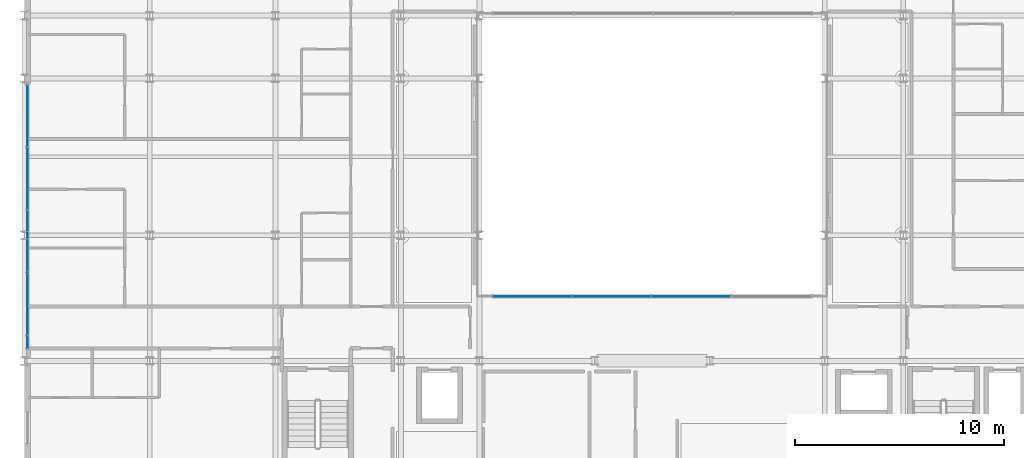
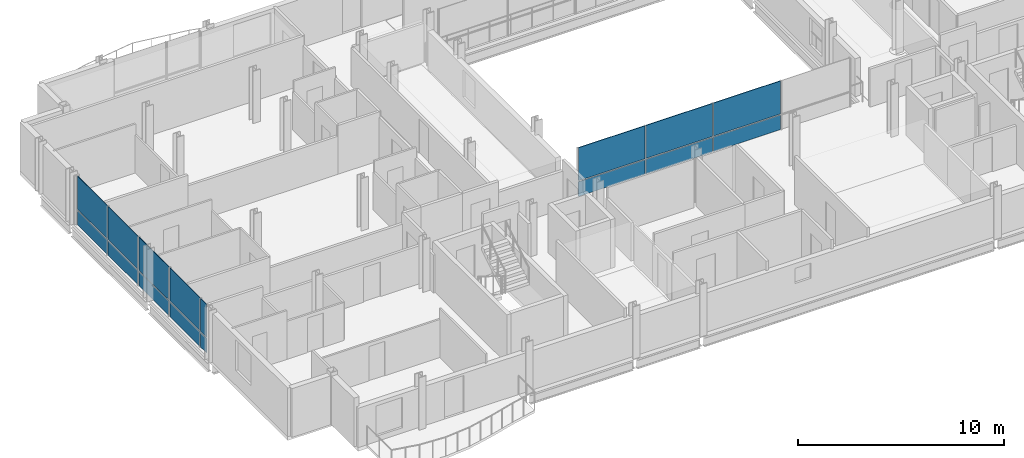
# One storey, part 28 of 41: 16 plates, 2 elements without a shape of their own.
"""IFC4 building model written with IfcOpenShell, lengths in metres."""

from ifc_helpers import new_model, si_unit, direction, frame, origin, origin_2d, place, context, subcontext, project, spatial, rectangle, extrude, material, layer, layer_set, type_object, element, aggregate, save


model = new_model("IFC4")

# Units and contexts
model_context = context("Model", 3, precision=1e-05, world=origin(), true_north=direction((0.0, 1.0)))
body_context = subcontext(model_context, "Body", "Model", "MODEL_VIEW")
ifc_project = project(units=[si_unit("LENGTHUNIT", "METRE"), si_unit("AREAUNIT", "SQUARE_METRE"), si_unit("VOLUMEUNIT", "CUBIC_METRE"), si_unit("PLANEANGLEUNIT", "RADIAN"), si_unit("MASSUNIT", "GRAM", prefix="KILO")], contexts=[model_context])

# Site, building, storey
site_placement = place(None, origin())
site = spatial("IfcSite", under=ifc_project, at=site_placement, CompositionType="ELEMENT")
building_placement = place(site_placement, origin())
building = spatial("IfcBuilding", under=site, at=building_placement, Name="Brevholm Reach", CompositionType="ELEMENT")
storey_placement = place(building_placement, frame((0.0, 0.0, 169.699951171875)))
storey = spatial("IfcBuildingStorey", under=building, at=storey_placement, Name="L51", CompositionType="ELEMENT", Elevation=169.699951171875)

# Curtain wall, plates
ifc_material_1 = material(Name="Dark Anodised Aluminium 6063-T6 and Solar-Control Glass", Category="aluminium")
ifc_layer_1 = layer(ifc_material_1, 0.14990234375)
ifc_layer_set_1 = layer_set([ifc_layer_1], Name="Dark Anodised Aluminium 6063-T6 and Solar-Control Glass")
curtain_wall_type_1 = type_object("IfcCurtainWallType", Name="CW-01", PredefinedType="NOTDEFINED", material=ifc_layer_set_1)
curtain_wall_1_placement = place(storey_placement, origin())
curtain_wall_1 = element("IfcCurtainWall", 1, at=curtain_wall_1_placement, inside=storey, type_object=curtain_wall_type_1, Name="L51 Curtain Wall CW-01", PredefinedType="NOTDEFINED")
ifc_material_2 = material(Name="Dark Solar-Control Double-Glazed IGU Glass", Category="glass")
ifc_layer_2 = layer(ifc_material_2, 0.028076171875)
ifc_layer_set_2 = layer_set([ifc_layer_2], Name="Dark Solar-Control Double-Glazed IGU Glass")
plate_type_1 = type_object("IfcPlateType", Name="CWP-GLZ-28", PredefinedType="CURTAIN_PANEL", material=ifc_layer_set_2)
plate_1_placement = place(storey_placement, frame((0.14990234375, 21.703857421875, 0.0), z_axis=(0.0, 0.0, 1.0), x_axis=(0.0, -1.0, 0.0)))
plate_1 = element("IfcPlate", 2, at=plate_1_placement, type_object=plate_type_1, Name="CP-01 Glazing Panel 1.1", PredefinedType="CURTAIN_PANEL", context=body_context, shape_type="SweptSolid", body=[
    extrude(rectangle(XDim=2.902587890625, YDim=0.028076171875, at=origin_2d()), origin(), (0.0, 0.0, 1.0), 0.867431640625),
])
plate_2_placement = place(storey_placement, frame((0.14990234375, 21.703857421875, 0.9326171875), z_axis=(0.0, 0.0, 1.0), x_axis=(0.0, -1.0, 0.0)))
plate_2 = element("IfcPlate", 3, at=plate_2_placement, type_object=plate_type_1, Name="CP-01 Glazing Panel 1.2", PredefinedType="CURTAIN_PANEL", context=body_context, shape_type="SweptSolid", body=[
    extrude(rectangle(XDim=2.902587890625, YDim=0.028076171875, at=origin_2d()), origin(), (0.0, 0.0, 1.0), 1.95751953125),
])
plate_3_placement = place(storey_placement, frame((0.14990234375, 18.719970703125, 0.0), z_axis=(0.0, 0.0, 1.0), x_axis=(0.0, -1.0, 0.0)))
plate_3 = element("IfcPlate", 4, at=plate_3_placement, type_object=plate_type_1, Name="CP-01 Glazing Panel 2.1", PredefinedType="CURTAIN_PANEL", context=body_context, shape_type="SweptSolid", body=[
    extrude(rectangle(XDim=2.93505859375, YDim=0.028076171875, at=origin_2d()), origin(), (0.0, 0.0, 1.0), 0.867431640625),
])
plate_4_placement = place(storey_placement, frame((0.14990234375, 18.719970703125, 0.9326171875), z_axis=(0.0, 0.0, 1.0), x_axis=(0.0, -1.0, 0.0)))
plate_4 = element("IfcPlate", 5, at=plate_4_placement, type_object=plate_type_1, Name="CP-01 Glazing Panel 2.2", PredefinedType="CURTAIN_PANEL", context=body_context, shape_type="SweptSolid", body=[
    extrude(rectangle(XDim=2.93505859375, YDim=0.028076171875, at=origin_2d()), origin(), (0.0, 0.0, 1.0), 1.95751953125),
])
plate_5_placement = place(storey_placement, frame((0.14990234375, 15.719970703125, 0.0), z_axis=(0.0, 0.0, 1.0), x_axis=(0.0, -1.0, 0.0)))
plate_5 = element("IfcPlate", 6, at=plate_5_placement, type_object=plate_type_1, Name="CP-01 Glazing Panel 3.1", PredefinedType="CURTAIN_PANEL", context=body_context, shape_type="SweptSolid", body=[
    extrude(rectangle(XDim=2.93505859375, YDim=0.028076171875, at=origin_2d()), origin(), (0.0, 0.0, 1.0), 0.867431640625),
])
plate_6_placement = place(storey_placement, frame((0.14990234375, 15.719970703125, 0.9326171875), z_axis=(0.0, 0.0, 1.0), x_axis=(0.0, -1.0, 0.0)))
plate_6 = element("IfcPlate", 7, at=plate_6_placement, type_object=plate_type_1, Name="CP-01 Glazing Panel 3.2", PredefinedType="CURTAIN_PANEL", context=body_context, shape_type="SweptSolid", body=[
    extrude(rectangle(XDim=2.93505859375, YDim=0.028076171875, at=origin_2d()), origin(), (0.0, 0.0, 1.0), 1.95751953125),
])
plate_7_placement = place(storey_placement, frame((0.14990234375, 12.719970703125, 0.0), z_axis=(0.0, 0.0, 1.0), x_axis=(0.0, -1.0, 0.0)))
plate_7 = element("IfcPlate", 8, at=plate_7_placement, type_object=plate_type_1, Name="CP-01 Glazing Panel 4.1", PredefinedType="CURTAIN_PANEL", context=body_context, shape_type="SweptSolid", body=[
    extrude(rectangle(XDim=2.93505859375, YDim=0.028076171875, at=origin_2d()), origin(), (0.0, 0.0, 1.0), 0.867431640625),
])
plate_8_placement = place(storey_placement, frame((0.14990234375, 12.719970703125, 0.9326171875), z_axis=(0.0, 0.0, 1.0), x_axis=(0.0, -1.0, 0.0)))
plate_8 = element("IfcPlate", 9, at=plate_8_placement, type_object=plate_type_1, Name="CP-01 Glazing Panel 4.2", PredefinedType="CURTAIN_PANEL", context=body_context, shape_type="SweptSolid", body=[
    extrude(rectangle(XDim=2.93505859375, YDim=0.028076171875, at=origin_2d()), origin(), (0.0, 0.0, 1.0), 1.95751953125),
])
plate_9_placement = place(storey_placement, frame((0.14990234375, 10.9013671875, 0.0), z_axis=(0.0, 0.0, 1.0), x_axis=(0.0, -1.0, 0.0)))
plate_9 = element("IfcPlate", 10, at=plate_9_placement, type_object=plate_type_1, Name="CP-01 Glazing Panel 5.1", PredefinedType="CURTAIN_PANEL", context=body_context, shape_type="SweptSolid", body=[
    extrude(rectangle(XDim=0.572509765625, YDim=0.028076171875, at=origin_2d()), origin(), (0.0, 0.0, 1.0), 0.867431640625),
])
plate_10_placement = place(storey_placement, frame((0.14990234375, 10.9013671875, 0.9326171875), z_axis=(0.0, 0.0, 1.0), x_axis=(0.0, -1.0, 0.0)))
plate_10 = element("IfcPlate", 11, at=plate_10_placement, type_object=plate_type_1, Name="CP-01 Glazing Panel 5.2", PredefinedType="CURTAIN_PANEL", context=body_context, shape_type="SweptSolid", body=[
    extrude(rectangle(XDim=0.572509765625, YDim=0.028076171875, at=origin_2d()), origin(), (0.0, 0.0, 1.0), 1.95751953125),
])
aggregate(curtain_wall_1, [plate_1, plate_2, plate_3, plate_4, plate_5, plate_6, plate_7, plate_8, plate_9, plate_10])

ifc_material_3 = material(Name="Dark Anodised Aluminium 6063-T6 and Solar-Control Glass", Category="aluminium")
ifc_layer_3 = layer(ifc_material_3, 0.139892578125)
ifc_layer_set_3 = layer_set([ifc_layer_3], Name="Dark Anodised Aluminium 6063-T6 and Solar-Control Glass")
curtain_wall_type_2 = type_object("IfcCurtainWallType", Name="CW-02", PredefinedType="NOTDEFINED", material=ifc_layer_set_3)
curtain_wall_2_placement = place(storey_placement, origin())
curtain_wall_2 = element("IfcCurtainWall", 12, at=curtain_wall_2_placement, inside=storey, type_object=curtain_wall_type_2, Name="L51 Curtain Wall CW-02", PredefinedType="NOTDEFINED")
ifc_material_4 = material(Name="Low-Iron Laminated Acoustic Glass", Category="glass")
ifc_layer_4 = layer(ifc_material_4, 0.035888671875)
ifc_layer_set_4 = layer_set([ifc_layer_4], Name="Low-Iron Laminated Acoustic Glass")
plate_type_2 = type_object("IfcPlateType", Name="CWP-GLZ-36", PredefinedType="CURTAIN_PANEL", material=ifc_layer_set_4)
plate_11_placement = place(storey_placement, frame((24.264892578125, 13.080078125, 0.0), z_axis=(0.0, 0.0, 1.0), x_axis=(1.0, 0.0, 0.0)))
plate_11 = element("IfcPlate", 13, at=plate_11_placement, type_object=plate_type_2, Name="CP-02 Glazing Panel 1.1", PredefinedType="CURTAIN_PANEL", context=body_context, shape_type="SweptSolid", body=[
    extrude(rectangle(XDim=3.7099609375, YDim=0.035888671875, at=origin_2d()), origin(), (0.0, 0.0, 1.0), 0.8701171875),
])
plate_12_placement = place(storey_placement, frame((24.264892578125, 13.080078125, 0.93017578125), z_axis=(0.0, 0.0, 1.0), x_axis=(1.0, 0.0, 0.0)))
plate_12 = element("IfcPlate", 14, at=plate_12_placement, type_object=plate_type_2, Name="CP-02 Glazing Panel 1.2", PredefinedType="CURTAIN_PANEL", context=body_context, shape_type="SweptSolid", body=[
    extrude(rectangle(XDim=3.7099609375, YDim=0.035888671875, at=origin_2d()), origin(), (0.0, 0.0, 1.0), 1.9599609375),
])
plate_13_placement = place(storey_placement, frame((28.050048828125, 13.080078125, 0.0), z_axis=(0.0, 0.0, 1.0), x_axis=(1.0, 0.0, 0.0)))
plate_13 = element("IfcPlate", 15, at=plate_13_placement, type_object=plate_type_2, Name="CP-02 Glazing Panel 2.1", PredefinedType="CURTAIN_PANEL", context=body_context, shape_type="SweptSolid", body=[
    extrude(rectangle(XDim=3.739990234375, YDim=0.035888671875, at=origin_2d()), origin(), (0.0, 0.0, 1.0), 0.8701171875),
])
plate_14_placement = place(storey_placement, frame((28.050048828125, 13.080078125, 0.93017578125), z_axis=(0.0, 0.0, 1.0), x_axis=(1.0, 0.0, 0.0)))
plate_14 = element("IfcPlate", 16, at=plate_14_placement, type_object=plate_type_2, Name="CP-02 Glazing Panel 2.2", PredefinedType="CURTAIN_PANEL", context=body_context, shape_type="SweptSolid", body=[
    extrude(rectangle(XDim=3.739990234375, YDim=0.035888671875, at=origin_2d()), origin(), (0.0, 0.0, 1.0), 1.9599609375),
])
plate_15_placement = place(storey_placement, frame((31.85009765625, 13.080078125, 0.0), z_axis=(0.0, 0.0, 1.0), x_axis=(1.0, 0.0, 0.0)))
plate_15 = element("IfcPlate", 17, at=plate_15_placement, type_object=plate_type_2, Name="CP-02 Glazing Panel 3.1", PredefinedType="CURTAIN_PANEL", context=body_context, shape_type="SweptSolid", body=[
    extrude(rectangle(XDim=3.739990234375, YDim=0.035888671875, at=origin_2d()), origin(), (0.0, 0.0, 1.0), 0.8701171875),
])
plate_16_placement = place(storey_placement, frame((31.85009765625, 13.080078125, 0.93017578125), z_axis=(0.0, 0.0, 1.0), x_axis=(1.0, 0.0, 0.0)))
plate_16 = element("IfcPlate", 18, at=plate_16_placement, type_object=plate_type_2, Name="CP-02 Glazing Panel 3.2", PredefinedType="CURTAIN_PANEL", context=body_context, shape_type="SweptSolid", body=[
    extrude(rectangle(XDim=3.739990234375, YDim=0.035888671875, at=origin_2d()), origin(), (0.0, 0.0, 1.0), 1.9599609375),
])
aggregate(curtain_wall_2, [plate_11, plate_12, plate_13, plate_14, plate_15, plate_16])

save(model, "model.ifc")
